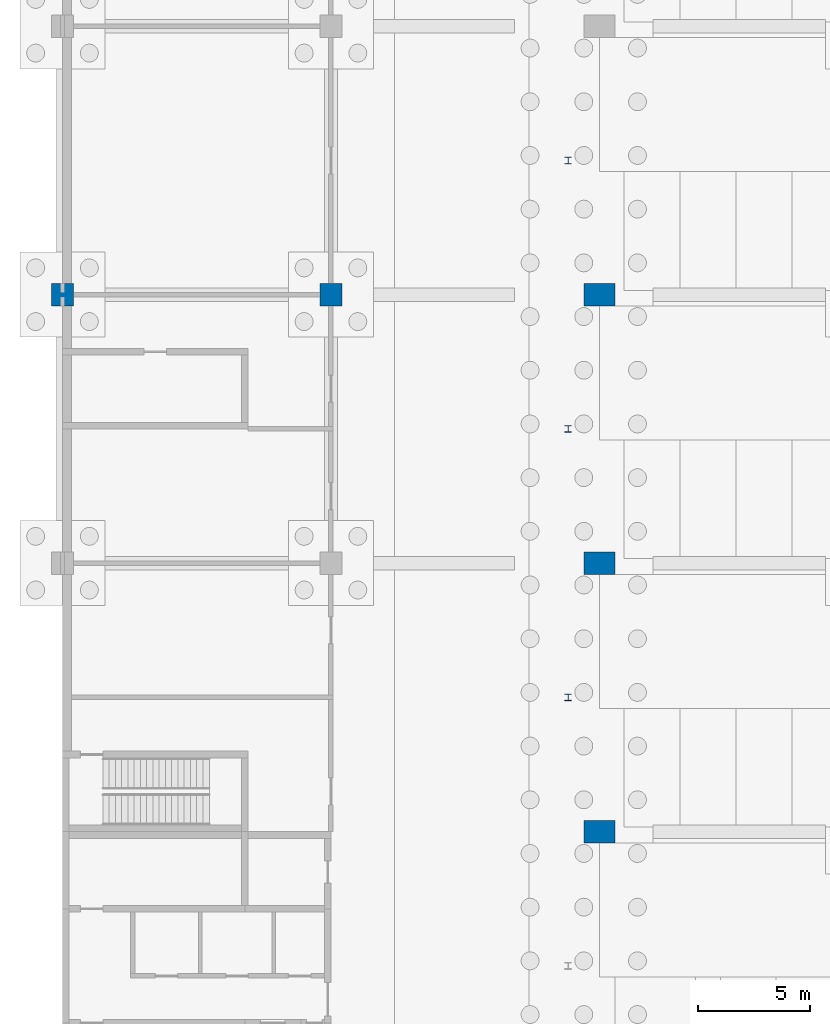
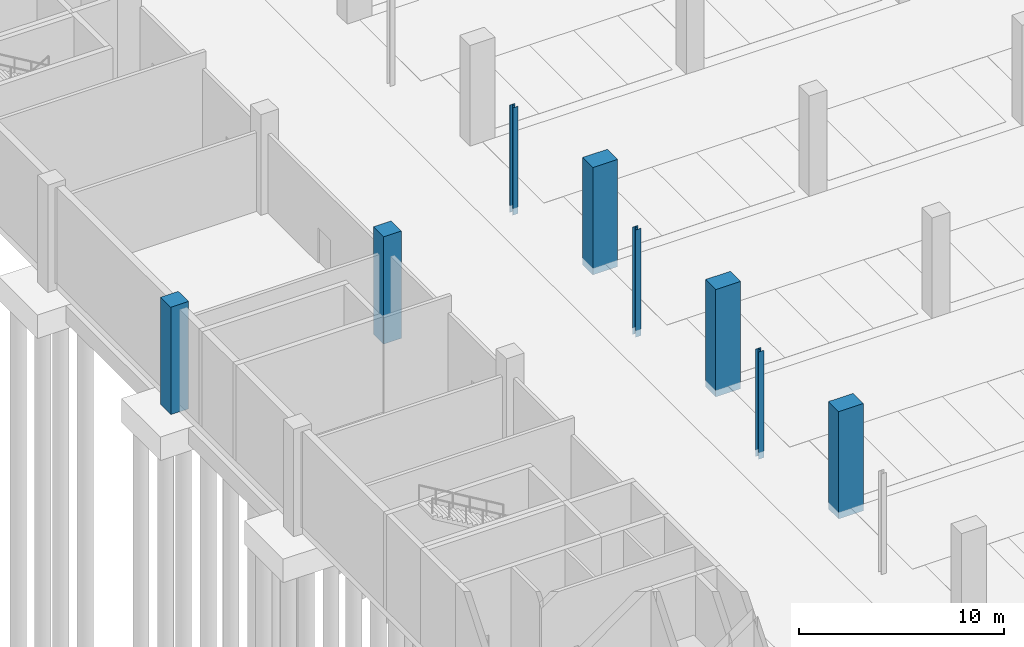
# One storey, part 11 of 34: 8 columns.
"""IFC4 building model written with IfcOpenShell, lengths in metres."""

from ifc_helpers import new_model, si_unit, direction, frame, origin, origin_2d, place, context, subcontext, project, spatial, rectangle, i_section, extrude, material, material_profile, profile_set, type_object, element, save


model = new_model("IFC4")

# Units and contexts
model_context = context("Model", 3, precision=1e-05, world=origin(), true_north=direction((0.0, 1.0)))
body_context = subcontext(model_context, "Body", "Model", "MODEL_VIEW")
ifc_project = project(units=[si_unit("LENGTHUNIT", "METRE"), si_unit("AREAUNIT", "SQUARE_METRE"), si_unit("VOLUMEUNIT", "CUBIC_METRE"), si_unit("PLANEANGLEUNIT", "RADIAN"), si_unit("MASSUNIT", "GRAM", prefix="KILO")], contexts=[model_context])

# Site, building, storey
site_placement = place(None, origin())
site = spatial("IfcSite", under=ifc_project, at=site_placement, CompositionType="ELEMENT")
building_placement = place(site_placement, origin())
building = spatial("IfcBuilding", under=site, at=building_placement, Name="Lilac Gate Convention Centre", CompositionType="ELEMENT")
storey_placement = place(building_placement, frame((0.0, 0.0, -6.0)))
storey = spatial("IfcBuildingStorey", under=building, at=storey_placement, Name="B1", CompositionType="ELEMENT", Elevation=-6.0)

# Columns
ifc_material_1 = material(Name="Concrete C40", Category="concrete")
ifc_material_profile_1 = material_profile(ifc_material_1, rectangle(XDim=1.0, YDim=1.0, at=origin_2d()), Name="RC 1000x1000")
ifc_profile_set_1 = profile_set([ifc_material_profile_1], Name="Concrete C40")
column_type_1 = type_object("IfcColumnType", Name="RC column 1000x1000 C40", PredefinedType="COLUMN", material=ifc_profile_set_1)
for number, where, z_axis, x_axis, name in (
    (1, (6.0, 186.0, -0.39990234375), (0.0, 0.0, 1.0), (1.0, 0.0, 0.0), "C1 B1 at 1/P"),
    (2, (18.0, 186.0, -0.39990234375), (0.0, 0.0, 1.0), (1.0, 0.0, 0.0), "C1 B1 at 2/P"),
):
    element("IfcColumn", number, at=place(storey_placement, frame(where, z_axis=z_axis, x_axis=x_axis)), inside=storey, type_object=column_type_1, Name=name, PredefinedType="COLUMN", context=body_context, shape_type="SweptSolid", body=[
        extrude(rectangle(XDim=1.0, YDim=1.0, at=origin_2d()), origin(), (0.0, 0.0, 1.0), 6.39990234375),
    ])
ifc_material_profile_2 = material_profile(ifc_material_1, rectangle(XDim=1.39990234375, YDim=1.0, at=origin_2d()), Name="RC 1400x1000")
ifc_profile_set_2 = profile_set([ifc_material_profile_2], Name="Concrete C40")
column_type_2 = type_object("IfcColumnType", Name="RC hall column 1400x1000 C40", PredefinedType="COLUMN", material=ifc_profile_set_2)
for number, where, z_axis, x_axis, name in (
    (3, (30.0, 162.0, -0.39990234375), (0.0, 0.0, 1.0), (1.0, 0.0, 0.0), "C2 B1 at 3/M"),
    (4, (30.0, 174.0, -0.39990234375), (0.0, 0.0, 1.0), (1.0, 0.0, 0.0), "C2 B1 at 3/N"),
    (5, (30.0, 186.0, -0.39990234375), (0.0, 0.0, 1.0), (1.0, 0.0, 0.0), "C2 B1 at 3/P"),
):
    element("IfcColumn", number, at=place(storey_placement, frame(where, z_axis=z_axis, x_axis=x_axis)), inside=storey, type_object=column_type_2, Name=name, PredefinedType="COLUMN", context=body_context, shape_type="SweptSolid", body=[
        extrude(rectangle(XDim=1.39990234375, YDim=1.0, at=origin_2d()), origin(), (0.0, 0.0, 1.0), 6.39990234375),
    ])
ifc_material_2 = material(Name="Steel Q355B", Category="steel")
ifc_material_profile_3 = material_profile(ifc_material_2, i_section(OverallWidth=0.300048828125, OverallDepth=0.300048828125, WebThickness=0.010009765625, FlangeThickness=0.014892578125, FilletRadius=0.012939453125, at=origin_2d()), Name="HW300x300x10x15")
ifc_profile_set_3 = profile_set([ifc_material_profile_3], Name="Steel Q355B")
column_type_3 = type_object("IfcColumnType", Name="Steel column HW300x300x10x15", PredefinedType="COLUMN", material=ifc_profile_set_3)
for number, where, z_axis, x_axis, name in (
    (6, (28.60009765625, 168.0, -0.39990234375), (0.0, 0.0, 1.0), (1.0, 0.0, 0.0), "SC1 B1 atrium column at 168"),
    (7, (28.60009765625, 180.0, -0.39990234375), (0.0, 0.0, 1.0), (1.0, 0.0, 0.0), "SC1 B1 atrium column at 180"),
    (8, (28.60009765625, 192.0, -0.39990234375), (0.0, 0.0, 1.0), (1.0, 0.0, 0.0), "SC1 B1 atrium column at 192"),
):
    element("IfcColumn", number, at=place(storey_placement, frame(where, z_axis=z_axis, x_axis=x_axis)), inside=storey, type_object=column_type_3, Name=name, PredefinedType="COLUMN", context=body_context, shape_type="SweptSolid", body=[
        extrude(i_section(OverallWidth=0.300048828125, OverallDepth=0.300048828125, WebThickness=0.010009765625, FlangeThickness=0.014892578125, FilletRadius=0.012939453125, at=origin_2d()), origin(), (0.0, 0.0, 1.0), 6.39990234375),
    ])

save(model, "model.ifc")
